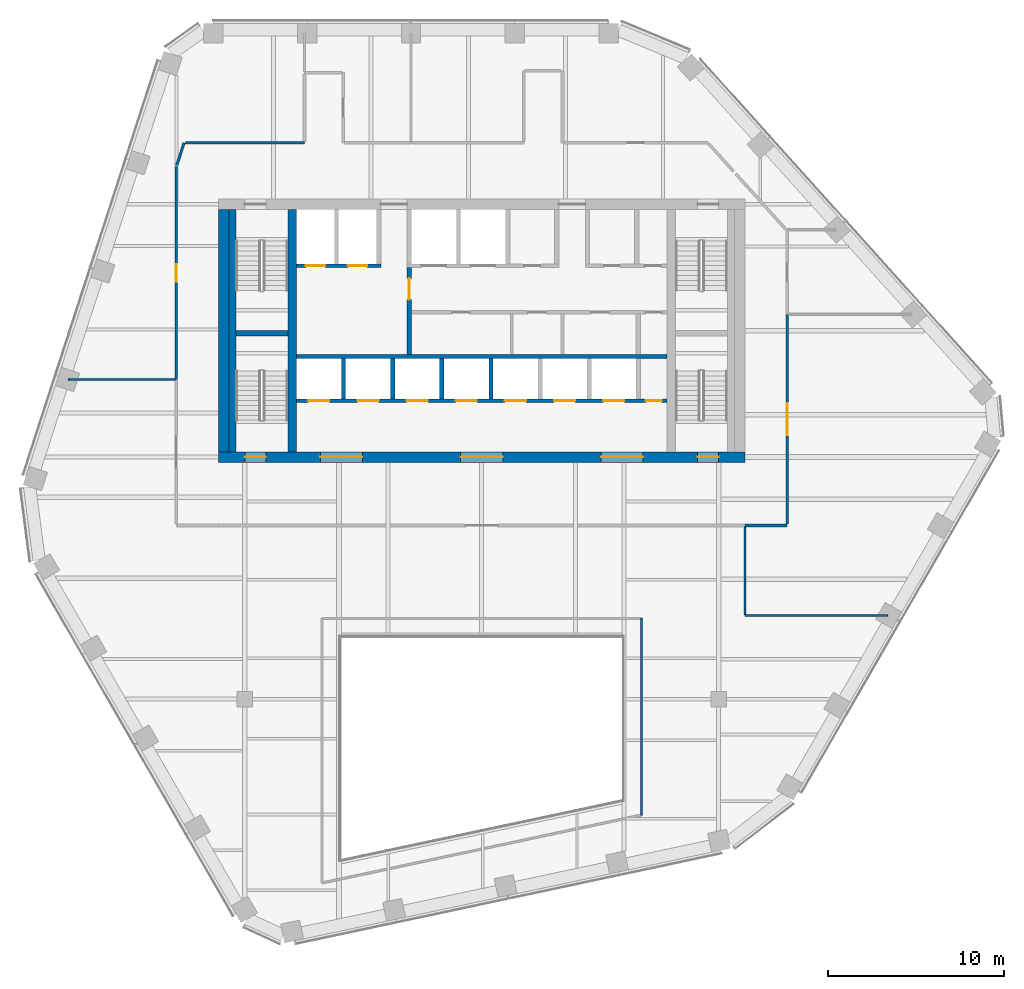
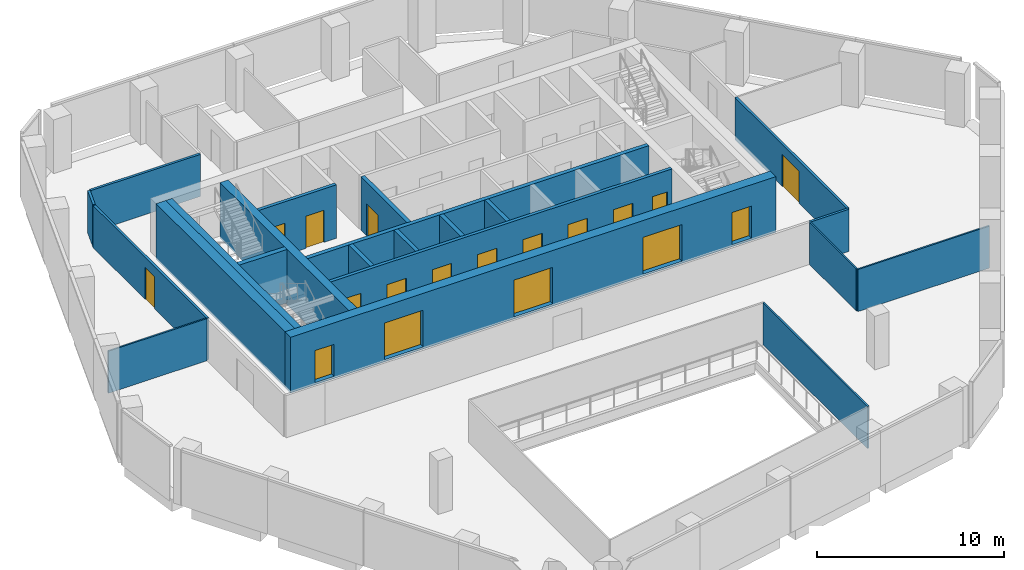
# One storey, part 9 of 15: 22 walls, 18 doors, 18 openings.
"""IFC4 building model written with IfcOpenShell, lengths in metres."""

from ifc_helpers import new_model, si_unit, direction, frame, frame_2d, origin, place, context, subcontext, project, spatial, rectangle, extrude, material, layer, layer_set, type_object, element, fill, save


model = new_model("IFC4")

# Units and contexts
model_context = context("Model", 3, precision=1e-05, world=origin(), true_north=direction((0.0, 1.0)))
body_context = subcontext(model_context, "Body", "Model", "MODEL_VIEW")
ifc_project = project(units=[si_unit("LENGTHUNIT", "METRE"), si_unit("AREAUNIT", "SQUARE_METRE"), si_unit("VOLUMEUNIT", "CUBIC_METRE"), si_unit("PLANEANGLEUNIT", "RADIAN"), si_unit("MASSUNIT", "GRAM", prefix="KILO")], contexts=[model_context])

# Site, building, storey
site_placement = place(None, origin())
site = spatial("IfcSite", under=ifc_project, at=site_placement, CompositionType="ELEMENT")
building_placement = place(site_placement, origin())
building = spatial("IfcBuilding", under=site, at=building_placement, Name="Isthmus Gate Tower", CompositionType="ELEMENT")
storey_placement = place(building_placement, frame((0.0, 0.0, 241.85009765625)))
storey = spatial("IfcBuildingStorey", under=building, at=storey_placement, Name="L61", CompositionType="ELEMENT", Elevation=241.85009765625)

# Walls
ifc_material_1 = material(Name="Fire-rated laminated glass in steel frame", Category="steel")
ifc_layer_1 = layer(ifc_material_1, 0.10009765625)
ifc_layer_set_1 = layer_set([ifc_layer_1], Name="ATRIUM SCREEN GLAZED WALL 100 120 MIN")
wall_type_1 = type_object("IfcWallType", Name="ATRIUM SCREEN GLAZED WALL 100 120 MIN", PredefinedType="PARTITIONING", material=ifc_layer_set_1)
wall_1_placement = place(storey_placement, frame((9.10009765625, -8.89990234375, 0.0), z_axis=(0.0, 0.0, 1.0), x_axis=(0.0, -1.0, 0.0)))
element("IfcWall", 1, at=wall_1_placement, inside=storey, type_object=wall_type_1, Name="L61 atrium screen", PredefinedType="PARTITIONING", context=body_context, shape_type="SweptSolid", body=[
    extrude(rectangle(XDim=11.200927734375, YDim=0.10009765625, at=frame_2d((5.6005859375, 0.0))), origin(), (0.0, 0.0, 1.0), 2.75048828125),
])
ifc_material_2 = material(Name="Gypsum board on steel studs, fire-rated", Category="steel")
ifc_layer_2 = layer(ifc_material_2, 0.14990234375)
ifc_layer_set_2 = layer_set([ifc_layer_2], Name="CORRIDOR WALL 150 60 MIN")
wall_type_2 = type_object("IfcWallType", Name="CORRIDOR WALL 150 60 MIN", PredefinedType="PARTITIONING", material=ifc_layer_set_2)
wall_2_placement = place(storey_placement, frame((17.39990234375, -3.60009765625, 0.0), z_axis=(0.0, 0.0, 1.0), x_axis=(-1.0, 0.0, 0.0)))
element("IfcWall", 2, at=wall_2_placement, inside=storey, type_object=wall_type_2, Name="L61 Corridor Wall 150 60 Min", PredefinedType="PARTITIONING", context=body_context, shape_type="SweptSolid", body=[
    extrude(rectangle(XDim=2.39990234375, YDim=0.14990234375, at=frame_2d((1.199951171875, 0.0))), origin(), (0.0, 0.0, 1.0), 2.75048828125),
])

# Wall, opening, door
wall_3_placement = place(storey_placement, frame((17.39990234375, 8.427978515625, 0.0), z_axis=(0.0, 0.0, 1.0), x_axis=(0.0, -1.0, 0.0)))
wall_3 = element("IfcWall", 3, at=wall_3_placement, inside=storey, type_object=wall_type_2, Name="L61 Corridor Wall 150 60 Min", PredefinedType="PARTITIONING", context=body_context, shape_type="SweptSolid", body=[
    extrude(rectangle(XDim=11.952880859375, YDim=0.14990234375, at=frame_2d((5.9765625, 0.0))), origin(), (0.0, 0.0, 1.0), 2.75048828125),
])
opening_1_placement = place(wall_3_placement, frame((5.076416015625, 0.0, 0.0)))
opening_1 = element("IfcOpeningElement", 4, at=opening_1_placement, cuts=wall_3, Name="Opening DT-T5C-05", PredefinedType="OPENING", context=body_context, shape_type="SweptSolid", body=[
    extrude(rectangle(XDim=1.800048828125, YDim=2.10009765625, at=frame_2d((0.89990234375, 1.050048828125))), frame((0.0, 0.0849609375, 0.0), z_axis=(0.0, -1.0, 0.0), x_axis=(1.0, 0.0, 0.0)), (0.0, 0.0, 1.0), 0.169921875),
])
ifc_material_3 = material(Name="Solid core timber door leaf, fire-rated", Category="wood")
door_type_1 = type_object("IfcDoorType", Name="FIRE DOOR ROOM 1800 X 2100 60 MIN", OperationType="DOUBLE_DOOR_DOUBLE_SWING", PredefinedType="DOOR", material=ifc_material_3)
door_1_placement = place(opening_1_placement, origin())
door_1 = element("IfcDoor", 5, at=door_1_placement, inside=storey, type_object=door_type_1, Name="L61 room door", OperationType="DOUBLE_DOOR_DOUBLE_SWING", OverallHeight=2.10009765625, OverallWidth=1.800048828125, PredefinedType="DOOR", context=body_context, shape_type="SweptSolid", body=[
    extrude(rectangle(XDim=1.800048828125, YDim=2.10009765625, at=frame_2d((0.89990234375, 1.050048828125))), frame((0.0, 0.02490234375, 0.0), z_axis=(0.0, -1.0, 0.0), x_axis=(1.0, 0.0, 0.0)), (0.0, 0.0, 1.0), 0.050048828125),
])
fill(opening_1, door_1)

wall_4_placement = place(storey_placement, frame((-17.39990234375, 4.722900390625, 0.0), z_axis=(0.0, 0.0, 1.0), x_axis=(0.0, 1.0, 0.0)))
wall_4 = element("IfcWall", 6, at=wall_4_placement, inside=storey, type_object=wall_type_2, Name="L61 Corridor Wall 150 60 Min", PredefinedType="PARTITIONING", context=body_context, shape_type="SweptSolid", body=[
    extrude(rectangle(XDim=12.1220703125, YDim=0.14990234375, at=frame_2d((6.06103515625, 0.0))), origin(), (0.0, 0.0, 1.0), 2.75048828125),
])
opening_2_placement = place(wall_4_placement, frame((5.56103515625, 0.0, 0.0)))
opening_2 = element("IfcOpeningElement", 7, at=opening_2_placement, cuts=wall_4, Name="Opening DT-T5C-02", PredefinedType="OPENING", context=body_context, shape_type="SweptSolid", body=[
    extrude(rectangle(XDim=1.0, YDim=2.10009765625, at=frame_2d((0.5, 1.050048828125))), frame((0.0, 0.0849609375, 0.0), z_axis=(0.0, -1.0, 0.0), x_axis=(1.0, 0.0, 0.0)), (0.0, 0.0, 1.0), 0.169921875),
])
ifc_material_4 = material(Name="Solid core timber door leaf, fire-rated", Category="wood")
door_type_2 = type_object("IfcDoorType", Name="FIRE DOOR ROOM 1000 X 2100 60 MIN", OperationType="SINGLE_SWING_LEFT", PredefinedType="DOOR", material=ifc_material_4)
door_2_placement = place(opening_2_placement, origin())
door_2 = element("IfcDoor", 8, at=door_2_placement, inside=storey, type_object=door_type_2, Name="L61 room door", OperationType="SINGLE_SWING_RIGHT", OverallHeight=2.10009765625, OverallWidth=1.0, PredefinedType="DOOR", context=body_context, shape_type="SweptSolid", body=[
    extrude(rectangle(XDim=1.0, YDim=2.10009765625, at=frame_2d((0.5, 1.050048828125))), frame((0.0, 0.02490234375, 0.0), z_axis=(0.0, -1.0, 0.0), x_axis=(1.0, 0.0, 0.0)), (0.0, 0.0, 1.0), 0.050048828125),
])
fill(opening_2, door_2)

# Walls
wall_5_placement = place(storey_placement, frame((-17.376708984375, 16.916259765625, 0.0), z_axis=(0.0, 0.0, 1.0), x_axis=(0.308783376305, 0.951132391688, 0.0)))
element("IfcWall", 9, at=wall_5_placement, inside=storey, type_object=wall_type_2, Name="L61 Corridor Wall 150 60 Min", PredefinedType="PARTITIONING", context=body_context, shape_type="SweptSolid", body=[
    extrude(rectangle(XDim=1.349609375, YDim=0.14990234375, at=frame_2d((0.6748046875, 0.0))), origin(), (0.0, 0.0, 1.0), 2.75048828125),
])
wall_6_placement = place(storey_placement, frame((-16.885009765625, 18.199951171875, 0.0), z_axis=(0.0, 0.0, 1.0), x_axis=(1.0, 0.0, 0.0)))
element("IfcWall", 10, at=wall_6_placement, inside=storey, type_object=wall_type_2, Name="L61 Corridor Wall 150 60 Min", PredefinedType="PARTITIONING", context=body_context, shape_type="SweptSolid", body=[
    extrude(rectangle(XDim=6.784912109375, YDim=0.14990234375, at=frame_2d((3.392578125, 0.0))), origin(), (0.0, 0.0, 1.0), 2.75048828125),
])

# Wall, opening, door
ifc_material_5 = material(Name="Fire-rated blockwork masonry, 15 MPa", Category="masonry")
ifc_layer_3 = layer(ifc_material_5, 0.25)
ifc_layer_set_3 = layer_set([ifc_layer_3], Name="FIRE-FIGHTING LOBBY WALL 250 90 MIN")
wall_type_3 = type_object("IfcWallType", Name="FIRE-FIGHTING LOBBY WALL 250 90 MIN", PredefinedType="PARTITIONING", material=ifc_layer_set_3)
wall_7_placement = place(storey_placement, frame((-4.125, 6.14990234375, 0.0), z_axis=(0.0, 0.0, 1.0), x_axis=(0.0, 1.0, 0.0)))
wall_7 = element("IfcWall", 11, at=wall_7_placement, inside=storey, type_object=wall_type_3, Name="L61 FIRE-FIGHTING LOBBY WALL 250 90 MIN", PredefinedType="PARTITIONING", context=body_context, shape_type="SweptSolid", body=[
    extrude(rectangle(XDim=4.9501953125, YDim=0.25, at=frame_2d((2.47509765625, 0.0))), origin(), (0.0, 0.0, 1.0), 3.5),
])
opening_3_placement = place(wall_7_placement, frame((3.125, 0.0, 0.0)))
opening_3 = element("IfcOpeningElement", 12, at=opening_3_placement, cuts=wall_7, Name="Opening DC-A19-01", PredefinedType="OPENING", context=body_context, shape_type="SweptSolid", body=[
    extrude(rectangle(XDim=1.199951171875, YDim=2.10009765625, at=frame_2d((0.60009765625, 1.050048828125))), frame((0.0, 0.135009765625, 0.0), z_axis=(0.0, -1.0, 0.0), x_axis=(1.0, 0.0, 0.0)), (0.0, 0.0, 1.0), 0.27001953125),
])
ifc_material_6 = material(Name="Steel door leaf, fire-rated", Category="steel")
door_type_3 = type_object("IfcDoorType", Name="LOBBY FIRE DOOR 1200 X 2100 90 MIN", OperationType="DOUBLE_DOOR_SINGLE_SWING", PredefinedType="DOOR", material=ifc_material_6)
door_3_placement = place(opening_3_placement, origin())
door_3 = element("IfcDoor", 13, at=door_3_placement, inside=storey, type_object=door_type_3, Name="Fire-fighting Lobby Door", OperationType="SINGLE_SWING_LEFT", OverallHeight=2.10009765625, OverallWidth=1.199951171875, PredefinedType="DOOR", context=body_context, shape_type="SweptSolid", body=[
    extrude(rectangle(XDim=1.199951171875, YDim=2.10009765625, at=frame_2d((0.60009765625, 1.050048828125))), frame((0.0, 0.02490234375, 0.0), z_axis=(0.0, -1.0, 0.0), x_axis=(1.0, 0.0, 0.0)), (0.0, 0.0, 1.0), 0.050048828125),
])
fill(opening_3, door_3)

# Wall
ifc_material_7 = material(Name="Concrete f'c 50 MPa", Category="concrete")
ifc_layer_4 = layer(ifc_material_7, 0.5)
ifc_layer_set_4 = layer_set([ifc_layer_4], Name="RC CORE SPINE WALL 500 F'C 50")
wall_type_4 = type_object("IfcWallType", Name="RC CORE SPINE WALL 500 F'C 50", PredefinedType="SOLIDWALL", material=ifc_layer_set_4)
wall_8_placement = place(storey_placement, frame((-10.800048828125, 0.60009765625, -0.150146484375), z_axis=(0.0, 0.0, 1.0), x_axis=(0.0, 1.0, 0.0)))
element("IfcWall", 14, at=wall_8_placement, inside=storey, type_object=wall_type_4, Name="str-corewall-L61-SPW", PredefinedType="SOLIDWALL", context=body_context, shape_type="SweptSolid", body=[
    extrude(rectangle(XDim=13.7998046875, YDim=0.5, at=frame_2d((6.89990234375, 0.0))), origin(), (0.0, 0.0, 1.0), 3.650146484375),
])

# Wall, openings, doors
ifc_material_8 = material(Name="Concrete f'c 50 MPa", Category="concrete")
ifc_layer_5 = layer(ifc_material_8, 0.60009765625)
ifc_layer_set_5 = layer_set([ifc_layer_5], Name="RC CORE WALL 600 F'C 50")
wall_type_5 = type_object("IfcWallType", Name="RC CORE WALL 600 F'C 50", PredefinedType="SOLIDWALL", material=ifc_layer_set_5)
wall_9_placement = place(storey_placement, frame((-15.0, 0.300048828125, -0.150146484375), z_axis=(0.0, 0.0, 1.0), x_axis=(1.0, 0.0, 0.0)))
wall_9 = element("IfcWall", 15, at=wall_9_placement, inside=storey, type_object=wall_type_5, Name="str-corewall-L61-S", PredefinedType="SOLIDWALL", context=body_context, shape_type="SweptSolid", body=[
    extrude(rectangle(XDim=30.0, YDim=0.60009765625, at=frame_2d((15.0, 0.0))), origin(), (0.0, 0.0, 1.0), 3.650146484375),
])
opening_4_placement = place(wall_9_placement, frame((5.800048828125, 0.0, 0.14990234375)))
opening_4 = element("IfcOpeningElement", 16, at=opening_4_placement, cuts=wall_9, Name="Opening DC-A19-10", PredefinedType="OPENING", context=body_context, shape_type="SweptSolid", body=[
    extrude(rectangle(XDim=2.39990234375, YDim=2.39990234375, at=frame_2d((1.199951171875, 1.199951171875))), frame((0.0, 0.31005859375, 0.0), z_axis=(0.0, -1.0, 0.0), x_axis=(1.0, 0.0, 0.0)), (0.0, 0.0, 1.0), 0.6201171875),
])
opening_5_placement = place(wall_9_placement, frame((13.800048828125, 0.0, 0.14990234375)))
opening_5 = element("IfcOpeningElement", 17, at=opening_5_placement, cuts=wall_9, Name="Opening DC-A19-11", PredefinedType="OPENING", context=body_context, shape_type="SweptSolid", body=[
    extrude(rectangle(XDim=2.39990234375, YDim=2.39990234375, at=frame_2d((1.199951171875, 1.199951171875))), frame((0.0, 0.31005859375, 0.0), z_axis=(0.0, -1.0, 0.0), x_axis=(1.0, 0.0, 0.0)), (0.0, 0.0, 1.0), 0.6201171875),
])
opening_6_placement = place(wall_9_placement, frame((21.800048828125, 0.0, 0.14990234375)))
opening_6 = element("IfcOpeningElement", 18, at=opening_6_placement, cuts=wall_9, Name="Opening DC-A19-12", PredefinedType="OPENING", context=body_context, shape_type="SweptSolid", body=[
    extrude(rectangle(XDim=2.39990234375, YDim=2.39990234375, at=frame_2d((1.199951171875, 1.199951171875))), frame((0.0, 0.31005859375, 0.0), z_axis=(0.0, -1.0, 0.0), x_axis=(1.0, 0.0, 0.0)), (0.0, 0.0, 1.0), 0.6201171875),
])
opening_7_placement = place(wall_9_placement, frame((1.5, 0.0, 0.14990234375)))
opening_7 = element("IfcOpeningElement", 19, at=opening_7_placement, cuts=wall_9, Name="Opening DC-A19-17", PredefinedType="OPENING", context=body_context, shape_type="SweptSolid", body=[
    extrude(rectangle(XDim=1.199951171875, YDim=2.10009765625, at=frame_2d((0.60009765625, 1.050048828125))), frame((0.0, 0.31005859375, 0.0), z_axis=(0.0, -1.0, 0.0), x_axis=(1.0, 0.0, 0.0)), (0.0, 0.0, 1.0), 0.6201171875),
])
opening_8_placement = place(wall_9_placement, frame((27.300048828125, 0.0, 0.14990234375)))
opening_8 = element("IfcOpeningElement", 20, at=opening_8_placement, cuts=wall_9, Name="Opening DC-A19-18", PredefinedType="OPENING", context=body_context, shape_type="SweptSolid", body=[
    extrude(rectangle(XDim=1.199951171875, YDim=2.10009765625, at=frame_2d((0.60009765625, 1.050048828125))), frame((0.0, 0.31005859375, 0.0), z_axis=(0.0, -1.0, 0.0), x_axis=(1.0, 0.0, 0.0)), (0.0, 0.0, 1.0), 0.6201171875),
])
ifc_material_9 = material(Name="Laminated safety glass in steel frame, fire-rated", Category="steel")
door_type_4 = type_object("IfcDoorType", Name="LOBBY ENTRANCE FIRE DOOR 2400 X 2400 60 MIN", OperationType="DOUBLE_DOOR_DOUBLE_SWING", PredefinedType="DOOR", material=ifc_material_9)
door_4_placement = place(opening_4_placement, origin())
door_4 = element("IfcDoor", 21, at=door_4_placement, inside=storey, type_object=door_type_4, Name="Lobby Entrance PS-W", OperationType="DOUBLE_DOOR_DOUBLE_SWING", OverallHeight=2.39990234375, OverallWidth=2.39990234375, PredefinedType="DOOR", context=body_context, shape_type="SweptSolid", body=[
    extrude(rectangle(XDim=2.39990234375, YDim=2.39990234375, at=frame_2d((1.199951171875, 1.199951171875))), frame((0.0, 0.02490234375, 0.0), z_axis=(0.0, -1.0, 0.0), x_axis=(1.0, 0.0, 0.0)), (0.0, 0.0, 1.0), 0.050048828125),
])
fill(opening_4, door_4)
door_5_placement = place(opening_5_placement, origin())
door_5 = element("IfcDoor", 22, at=door_5_placement, inside=storey, type_object=door_type_4, Name="Lobby Entrance PS-C", OperationType="DOUBLE_DOOR_DOUBLE_SWING", OverallHeight=2.39990234375, OverallWidth=2.39990234375, PredefinedType="DOOR", context=body_context, shape_type="SweptSolid", body=[
    extrude(rectangle(XDim=2.39990234375, YDim=2.39990234375, at=frame_2d((1.199951171875, 1.199951171875))), frame((0.0, 0.02490234375, 0.0), z_axis=(0.0, -1.0, 0.0), x_axis=(1.0, 0.0, 0.0)), (0.0, 0.0, 1.0), 0.050048828125),
])
fill(opening_5, door_5)
door_6_placement = place(opening_6_placement, origin())
door_6 = element("IfcDoor", 23, at=door_6_placement, inside=storey, type_object=door_type_4, Name="Lobby Entrance PS-E", OperationType="DOUBLE_DOOR_DOUBLE_SWING", OverallHeight=2.39990234375, OverallWidth=2.39990234375, PredefinedType="DOOR", context=body_context, shape_type="SweptSolid", body=[
    extrude(rectangle(XDim=2.39990234375, YDim=2.39990234375, at=frame_2d((1.199951171875, 1.199951171875))), frame((0.0, 0.02490234375, 0.0), z_axis=(0.0, -1.0, 0.0), x_axis=(1.0, 0.0, 0.0)), (0.0, 0.0, 1.0), 0.050048828125),
])
fill(opening_6, door_6)
ifc_material_10 = material(Name="Steel door leaf, fire-rated", Category="steel")
door_type_5 = type_object("IfcDoorType", Name="STAIR FIRE DOOR 1200 X 2100 90 MIN", OperationType="SINGLE_SWING_LEFT", PredefinedType="DOOR", material=ifc_material_10)
door_7_placement = place(opening_7_placement, origin())
door_7 = element("IfcDoor", 24, at=door_7_placement, inside=storey, type_object=door_type_5, Name="Exit Stair 7 Door", OperationType="SINGLE_SWING_LEFT", OverallHeight=2.10009765625, OverallWidth=1.199951171875, PredefinedType="DOOR", context=body_context, shape_type="SweptSolid", body=[
    extrude(rectangle(XDim=1.199951171875, YDim=2.10009765625, at=frame_2d((0.60009765625, 1.050048828125))), frame((0.0, 0.02490234375, 0.0), z_axis=(0.0, -1.0, 0.0), x_axis=(1.0, 0.0, 0.0)), (0.0, 0.0, 1.0), 0.050048828125),
])
fill(opening_7, door_7)
door_8_placement = place(opening_8_placement, origin())
door_8 = element("IfcDoor", 25, at=door_8_placement, inside=storey, type_object=door_type_5, Name="Exit Stair 8 Door", OperationType="SINGLE_SWING_RIGHT", OverallHeight=2.10009765625, OverallWidth=1.199951171875, PredefinedType="DOOR", context=body_context, shape_type="SweptSolid", body=[
    extrude(rectangle(XDim=1.199951171875, YDim=2.10009765625, at=frame_2d((0.60009765625, 1.050048828125))), frame((0.0, 0.02490234375, 0.0), z_axis=(0.0, -1.0, 0.0), x_axis=(1.0, 0.0, 0.0)), (0.0, 0.0, 1.0), 0.050048828125),
])
fill(opening_8, door_8)

# Walls
wall_10_placement = place(storey_placement, frame((-14.699951171875, 0.60009765625, -0.150146484375), z_axis=(0.0, 0.0, 1.0), x_axis=(0.0, 1.0, 0.0)))
element("IfcWall", 26, at=wall_10_placement, inside=storey, type_object=wall_type_5, Name="str-corewall-L61-W", PredefinedType="SOLIDWALL", context=body_context, shape_type="SweptSolid", body=[
    extrude(rectangle(XDim=13.7998046875, YDim=0.60009765625, at=frame_2d((6.89990234375, 0.0))), origin(), (0.0, 0.0, 1.0), 3.650146484375),
])
ifc_material_11 = material(Name="Gypsum board on steel studs, fire-rated", Category="steel")
ifc_layer_6 = layer(ifc_material_11, 0.10009765625)
ifc_layer_set_6 = layer_set([ifc_layer_6], Name="ROOM PARTITION 100 30 MIN")
wall_type_6 = type_object("IfcWallType", Name="ROOM PARTITION 100 30 MIN", PredefinedType="PARTITIONING", material=ifc_layer_set_6)
wall_11_placement = place(storey_placement, frame((-23.547119140625, 4.722900390625, 0.0), z_axis=(0.0, 0.0, 1.0), x_axis=(1.0, 0.0, 0.0)))
element("IfcWall", 27, at=wall_11_placement, inside=storey, type_object=wall_type_6, Name="L61 Room Partition 100 30 Min", PredefinedType="PARTITIONING", context=body_context, shape_type="SweptSolid", body=[
    extrude(rectangle(XDim=6.072021484375, YDim=0.10009765625, at=frame_2d((3.0361328125, 0.0))), origin(), (0.0, 0.0, 1.0), 2.75048828125),
])
wall_12_placement = place(storey_placement, frame((15.0, -8.735107421875, 0.0), z_axis=(0.0, 0.0, 1.0), x_axis=(1.0, 0.0, 0.0)))
element("IfcWall", 28, at=wall_12_placement, inside=storey, type_object=wall_type_6, Name="L61 Room Partition 100 30 Min", PredefinedType="PARTITIONING", context=body_context, shape_type="SweptSolid", body=[
    extrude(rectangle(XDim=8.132080078125, YDim=0.10009765625, at=frame_2d((4.06591796875, 0.0))), origin(), (0.0, 0.0, 1.0), 2.75048828125),
])
wall_13_placement = place(storey_placement, frame((15.0, -8.68505859375, 0.0), z_axis=(0.0, 0.0, 1.0), x_axis=(0.0, 1.0, 0.0)))
element("IfcWall", 29, at=wall_13_placement, inside=storey, type_object=wall_type_6, Name="L61 Room Partition 100 30 Min", PredefinedType="PARTITIONING", context=body_context, shape_type="SweptSolid", body=[
    extrude(rectangle(XDim=5.010009765625, YDim=0.10009765625, at=frame_2d((2.5048828125, 0.0))), origin(), (0.0, 0.0, 1.0), 2.75048828125),
])

# Wall, openings, doors
ifc_material_12 = material(Name="Fire-rated blockwork masonry, 15 MPa", Category="masonry")
ifc_layer_7 = layer(ifc_material_12, 0.199951171875)
ifc_layer_set_7 = layer_set([ifc_layer_7], Name="SHAFT FRONT WALL 200 120 MIN")
wall_type_7 = type_object("IfcWallType", Name="SHAFT FRONT WALL 200 120 MIN", PredefinedType="PARTITIONING", material=ifc_layer_set_7)
wall_14_placement = place(storey_placement, frame((-10.550048828125, 3.5, 0.0), z_axis=(0.0, 0.0, 1.0), x_axis=(1.0, 0.0, 0.0)))
wall_14 = element("IfcWall", 30, at=wall_14_placement, inside=storey, type_object=wall_type_7, Name="L61 SHAFT FRONT WALL 200 120 MIN", PredefinedType="PARTITIONING", context=body_context, shape_type="SweptSolid", body=[
    extrude(rectangle(XDim=21.10009765625, YDim=0.199951171875, at=frame_2d((10.550048828125, 0.0))), origin(), (0.0, 0.0, 1.0), 3.5),
])
opening_9_placement = place(wall_14_placement, frame((0.675048828125, 0.0, 0.0)))
opening_9 = element("IfcOpeningElement", 31, at=opening_9_placement, cuts=wall_14, Name="Opening LD-LC1", PredefinedType="OPENING", context=body_context, shape_type="SweptSolid", body=[
    extrude(rectangle(XDim=1.199951171875, YDim=2.10009765625, at=frame_2d((0.60009765625, 1.050048828125))), frame((0.0, 0.10986328125, 0.0), z_axis=(0.0, -1.0, 0.0), x_axis=(1.0, 0.0, 0.0)), (0.0, 0.0, 1.0), 0.219970703125),
])
opening_10_placement = place(wall_14_placement, frame((3.47509765625, 0.0, 0.0)))
opening_10 = element("IfcOpeningElement", 32, at=opening_10_placement, cuts=wall_14, Name="Opening LD-LC2", PredefinedType="OPENING", context=body_context, shape_type="SweptSolid", body=[
    extrude(rectangle(XDim=1.199951171875, YDim=2.10009765625, at=frame_2d((0.60009765625, 1.050048828125))), frame((0.0, 0.10986328125, 0.0), z_axis=(0.0, -1.0, 0.0), x_axis=(1.0, 0.0, 0.0)), (0.0, 0.0, 1.0), 0.219970703125),
])
opening_11_placement = place(wall_14_placement, frame((6.27490234375, 0.0, 0.0)))
opening_11 = element("IfcOpeningElement", 33, at=opening_11_placement, cuts=wall_14, Name="Opening LD-LC3", PredefinedType="OPENING", context=body_context, shape_type="SweptSolid", body=[
    extrude(rectangle(XDim=1.199951171875, YDim=2.10009765625, at=frame_2d((0.60009765625, 1.050048828125))), frame((0.0, 0.10986328125, 0.0), z_axis=(0.0, -1.0, 0.0), x_axis=(1.0, 0.0, 0.0)), (0.0, 0.0, 1.0), 0.219970703125),
])
opening_12_placement = place(wall_14_placement, frame((9.074951171875, 0.0, 0.0)))
opening_12 = element("IfcOpeningElement", 34, at=opening_12_placement, cuts=wall_14, Name="Opening LD-LC4", PredefinedType="OPENING", context=body_context, shape_type="SweptSolid", body=[
    extrude(rectangle(XDim=1.199951171875, YDim=2.10009765625, at=frame_2d((0.60009765625, 1.050048828125))), frame((0.0, 0.10986328125, 0.0), z_axis=(0.0, -1.0, 0.0), x_axis=(1.0, 0.0, 0.0)), (0.0, 0.0, 1.0), 0.219970703125),
])
opening_13_placement = place(wall_14_placement, frame((11.875, 0.0, 0.0)))
opening_13 = element("IfcOpeningElement", 35, at=opening_13_placement, cuts=wall_14, Name="Opening LD-LC5", PredefinedType="OPENING", context=body_context, shape_type="SweptSolid", body=[
    extrude(rectangle(XDim=1.199951171875, YDim=2.10009765625, at=frame_2d((0.60009765625, 1.050048828125))), frame((0.0, 0.10986328125, 0.0), z_axis=(0.0, -1.0, 0.0), x_axis=(1.0, 0.0, 0.0)), (0.0, 0.0, 1.0), 0.219970703125),
])
opening_14_placement = place(wall_14_placement, frame((14.675048828125, 0.0, 0.0)))
opening_14 = element("IfcOpeningElement", 36, at=opening_14_placement, cuts=wall_14, Name="Opening LD-LC6", PredefinedType="OPENING", context=body_context, shape_type="SweptSolid", body=[
    extrude(rectangle(XDim=1.199951171875, YDim=2.10009765625, at=frame_2d((0.60009765625, 1.050048828125))), frame((0.0, 0.10986328125, 0.0), z_axis=(0.0, -1.0, 0.0), x_axis=(1.0, 0.0, 0.0)), (0.0, 0.0, 1.0), 0.219970703125),
])
opening_15_placement = place(wall_14_placement, frame((17.47509765625, 0.0, 0.0)))
opening_15 = element("IfcOpeningElement", 37, at=opening_15_placement, cuts=wall_14, Name="Opening LD-LC7", PredefinedType="OPENING", context=body_context, shape_type="SweptSolid", body=[
    extrude(rectangle(XDim=1.199951171875, YDim=2.10009765625, at=frame_2d((0.60009765625, 1.050048828125))), frame((0.0, 0.10986328125, 0.0), z_axis=(0.0, -1.0, 0.0), x_axis=(1.0, 0.0, 0.0)), (0.0, 0.0, 1.0), 0.219970703125),
])
opening_16_placement = place(wall_14_placement, frame((19.89990234375, 0.0, 0.0)))
opening_16 = element("IfcOpeningElement", 38, at=opening_16_placement, cuts=wall_14, Name="Opening DC-A19-02", PredefinedType="OPENING", context=body_context, shape_type="SweptSolid", body=[
    extrude(rectangle(XDim=0.89990234375, YDim=2.10009765625, at=frame_2d((0.449951171875, 1.050048828125))), frame((0.0, 0.10986328125, 0.0), z_axis=(0.0, -1.0, 0.0), x_axis=(1.0, 0.0, 0.0)), (0.0, 0.0, 1.0), 0.219970703125),
])
ifc_material_13 = material(Name="Stainless steel sliding leaf", Category="steel")
door_type_6 = type_object("IfcDoorType", Name="LIFT LANDING FIRE DOOR 1200 X 2100 90 MIN", OperationType="DOUBLE_DOOR_SLIDING", PredefinedType="DOOR", material=ifc_material_13)
door_9_placement = place(opening_9_placement, origin())
door_9 = element("IfcDoor", 39, at=door_9_placement, inside=storey, type_object=door_type_6, Name="Lift Landing Door LC1", OperationType="DOUBLE_DOOR_SLIDING", OverallHeight=2.10009765625, OverallWidth=1.199951171875, PredefinedType="DOOR", context=body_context, shape_type="SweptSolid", body=[
    extrude(rectangle(XDim=1.199951171875, YDim=2.10009765625, at=frame_2d((0.60009765625, 1.050048828125))), frame((0.0, 0.02490234375, 0.0), z_axis=(0.0, -1.0, 0.0), x_axis=(1.0, 0.0, 0.0)), (0.0, 0.0, 1.0), 0.050048828125),
])
fill(opening_9, door_9)
door_10_placement = place(opening_10_placement, origin())
door_10 = element("IfcDoor", 40, at=door_10_placement, inside=storey, type_object=door_type_6, Name="Lift Landing Door LC2", OperationType="DOUBLE_DOOR_SLIDING", OverallHeight=2.10009765625, OverallWidth=1.199951171875, PredefinedType="DOOR", context=body_context, shape_type="SweptSolid", body=[
    extrude(rectangle(XDim=1.199951171875, YDim=2.10009765625, at=frame_2d((0.60009765625, 1.050048828125))), frame((0.0, 0.02490234375, 0.0), z_axis=(0.0, -1.0, 0.0), x_axis=(1.0, 0.0, 0.0)), (0.0, 0.0, 1.0), 0.050048828125),
])
fill(opening_10, door_10)
door_11_placement = place(opening_11_placement, origin())
door_11 = element("IfcDoor", 41, at=door_11_placement, inside=storey, type_object=door_type_6, Name="Lift Landing Door LC3", OperationType="DOUBLE_DOOR_SLIDING", OverallHeight=2.10009765625, OverallWidth=1.199951171875, PredefinedType="DOOR", context=body_context, shape_type="SweptSolid", body=[
    extrude(rectangle(XDim=1.199951171875, YDim=2.10009765625, at=frame_2d((0.60009765625, 1.050048828125))), frame((0.0, 0.02490234375, 0.0), z_axis=(0.0, -1.0, 0.0), x_axis=(1.0, 0.0, 0.0)), (0.0, 0.0, 1.0), 0.050048828125),
])
fill(opening_11, door_11)
door_12_placement = place(opening_12_placement, origin())
door_12 = element("IfcDoor", 42, at=door_12_placement, inside=storey, type_object=door_type_6, Name="Lift Landing Door LC4", OperationType="DOUBLE_DOOR_SLIDING", OverallHeight=2.10009765625, OverallWidth=1.199951171875, PredefinedType="DOOR", context=body_context, shape_type="SweptSolid", body=[
    extrude(rectangle(XDim=1.199951171875, YDim=2.10009765625, at=frame_2d((0.60009765625, 1.050048828125))), frame((0.0, 0.02490234375, 0.0), z_axis=(0.0, -1.0, 0.0), x_axis=(1.0, 0.0, 0.0)), (0.0, 0.0, 1.0), 0.050048828125),
])
fill(opening_12, door_12)
door_13_placement = place(opening_13_placement, origin())
door_13 = element("IfcDoor", 43, at=door_13_placement, inside=storey, type_object=door_type_6, Name="Lift Landing Door LC5", OperationType="DOUBLE_DOOR_SLIDING", OverallHeight=2.10009765625, OverallWidth=1.199951171875, PredefinedType="DOOR", context=body_context, shape_type="SweptSolid", body=[
    extrude(rectangle(XDim=1.199951171875, YDim=2.10009765625, at=frame_2d((0.60009765625, 1.050048828125))), frame((0.0, 0.02490234375, 0.0), z_axis=(0.0, -1.0, 0.0), x_axis=(1.0, 0.0, 0.0)), (0.0, 0.0, 1.0), 0.050048828125),
])
fill(opening_13, door_13)
door_14_placement = place(opening_14_placement, origin())
door_14 = element("IfcDoor", 44, at=door_14_placement, inside=storey, type_object=door_type_6, Name="Lift Landing Door LC6", OperationType="DOUBLE_DOOR_SLIDING", OverallHeight=2.10009765625, OverallWidth=1.199951171875, PredefinedType="DOOR", context=body_context, shape_type="SweptSolid", body=[
    extrude(rectangle(XDim=1.199951171875, YDim=2.10009765625, at=frame_2d((0.60009765625, 1.050048828125))), frame((0.0, 0.02490234375, 0.0), z_axis=(0.0, -1.0, 0.0), x_axis=(1.0, 0.0, 0.0)), (0.0, 0.0, 1.0), 0.050048828125),
])
fill(opening_14, door_14)
door_15_placement = place(opening_15_placement, origin())
door_15 = element("IfcDoor", 45, at=door_15_placement, inside=storey, type_object=door_type_6, Name="Lift Landing Door LC7", OperationType="DOUBLE_DOOR_SLIDING", OverallHeight=2.10009765625, OverallWidth=1.199951171875, PredefinedType="DOOR", context=body_context, shape_type="SweptSolid", body=[
    extrude(rectangle(XDim=1.199951171875, YDim=2.10009765625, at=frame_2d((0.60009765625, 1.050048828125))), frame((0.0, 0.02490234375, 0.0), z_axis=(0.0, -1.0, 0.0), x_axis=(1.0, 0.0, 0.0)), (0.0, 0.0, 1.0), 0.050048828125),
])
fill(opening_15, door_15)
ifc_material_14 = material(Name="Steel door leaf, fire-rated", Category="steel")
door_type_7 = type_object("IfcDoorType", Name="RISER FIRE DOOR 900 X 2100 90 MIN", OperationType="SINGLE_SWING_LEFT", PredefinedType="DOOR", material=ifc_material_14)
door_16_placement = place(opening_16_placement, origin())
door_16 = element("IfcDoor", 46, at=door_16_placement, inside=storey, type_object=door_type_7, Name="Riser Door", OperationType="SINGLE_SWING_RIGHT", OverallHeight=2.10009765625, OverallWidth=0.89990234375, PredefinedType="DOOR", context=body_context, shape_type="SweptSolid", body=[
    extrude(rectangle(XDim=0.89990234375, YDim=2.10009765625, at=frame_2d((0.449951171875, 1.050048828125))), frame((0.0, 0.02490234375, 0.0), z_axis=(0.0, -1.0, 0.0), x_axis=(1.0, 0.0, 0.0)), (0.0, 0.0, 1.0), 0.050048828125),
])
fill(opening_16, door_16)

wall_15_placement = place(storey_placement, frame((-10.550048828125, 11.199951171875, 0.0), z_axis=(0.0, 0.0, 1.0), x_axis=(1.0, 0.0, 0.0)))
wall_15 = element("IfcWall", 47, at=wall_15_placement, inside=storey, type_object=wall_type_7, Name="L61 SHAFT FRONT WALL 200 120 MIN", PredefinedType="PARTITIONING", context=body_context, shape_type="SweptSolid", body=[
    extrude(rectangle(XDim=4.800048828125, YDim=0.199951171875, at=frame_2d((2.39990234375, 0.0))), origin(), (0.0, 0.0, 1.0), 3.5),
])
opening_17_placement = place(wall_15_placement, frame((0.52490234375, 0.0, 0.0)))
opening_17 = element("IfcOpeningElement", 48, at=opening_17_placement, cuts=wall_15, Name="Opening LD-LF1", PredefinedType="OPENING", context=body_context, shape_type="SweptSolid", body=[
    extrude(rectangle(XDim=1.10009765625, YDim=2.10009765625, at=frame_2d((0.550048828125, 1.050048828125))), frame((0.0, 0.10986328125, 0.0), z_axis=(0.0, -1.0, 0.0), x_axis=(1.0, 0.0, 0.0)), (0.0, 0.0, 1.0), 0.219970703125),
])
opening_18_placement = place(wall_15_placement, frame((2.925048828125, 0.0, 0.0)))
opening_18 = element("IfcOpeningElement", 49, at=opening_18_placement, cuts=wall_15, Name="Opening LD-LF2", PredefinedType="OPENING", context=body_context, shape_type="SweptSolid", body=[
    extrude(rectangle(XDim=1.10009765625, YDim=2.10009765625, at=frame_2d((0.550048828125, 1.050048828125))), frame((0.0, 0.10986328125, 0.0), z_axis=(0.0, -1.0, 0.0), x_axis=(1.0, 0.0, 0.0)), (0.0, 0.0, 1.0), 0.219970703125),
])
ifc_material_15 = material(Name="Stainless steel sliding leaf", Category="steel")
door_type_8 = type_object("IfcDoorType", Name="LIFT LANDING FIRE DOOR 1100 X 2100 90 MIN", OperationType="DOUBLE_DOOR_SLIDING", PredefinedType="DOOR", material=ifc_material_15)
door_17_placement = place(opening_17_placement, origin())
door_17 = element("IfcDoor", 50, at=door_17_placement, inside=storey, type_object=door_type_8, Name="Lift Landing Door LF1", OperationType="DOUBLE_DOOR_SLIDING", OverallHeight=2.10009765625, OverallWidth=1.10009765625, PredefinedType="DOOR", context=body_context, shape_type="SweptSolid", body=[
    extrude(rectangle(XDim=1.10009765625, YDim=2.10009765625, at=frame_2d((0.550048828125, 1.050048828125))), frame((0.0, 0.02490234375, 0.0), z_axis=(0.0, -1.0, 0.0), x_axis=(1.0, 0.0, 0.0)), (0.0, 0.0, 1.0), 0.050048828125),
])
fill(opening_17, door_17)
door_18_placement = place(opening_18_placement, origin())
door_18 = element("IfcDoor", 51, at=door_18_placement, inside=storey, type_object=door_type_8, Name="Lift Landing Door LF2", OperationType="DOUBLE_DOOR_SLIDING", OverallHeight=2.10009765625, OverallWidth=1.10009765625, PredefinedType="DOOR", context=body_context, shape_type="SweptSolid", body=[
    extrude(rectangle(XDim=1.10009765625, YDim=2.10009765625, at=frame_2d((0.550048828125, 1.050048828125))), frame((0.0, 0.02490234375, 0.0), z_axis=(0.0, -1.0, 0.0), x_axis=(1.0, 0.0, 0.0)), (0.0, 0.0, 1.0), 0.050048828125),
])
fill(opening_18, door_18)

# Walls
ifc_material_16 = material(Name="Fire-rated blockwork masonry, 15 MPa", Category="masonry")
ifc_layer_8 = layer(ifc_material_16, 0.25)
ifc_layer_set_8 = layer_set([ifc_layer_8], Name="SHAFT WALL 250 120 MIN")
wall_type_8 = type_object("IfcWallType", Name="SHAFT WALL 250 120 MIN", PredefinedType="PARTITIONING", material=ifc_layer_set_8)
wall_16_placement = place(storey_placement, frame((-10.550048828125, 6.02490234375, 0.0), z_axis=(0.0, 0.0, 1.0), x_axis=(1.0, 0.0, 0.0)))
element("IfcWall", 52, at=wall_16_placement, inside=storey, type_object=wall_type_8, Name="L61 SHAFT WALL 250 120 MIN", PredefinedType="PARTITIONING", context=body_context, shape_type="SweptSolid", body=[
    extrude(rectangle(XDim=21.10009765625, YDim=0.25, at=frame_2d((10.550048828125, 0.0))), origin(), (0.0, 0.0, 1.0), 3.5),
])
for number, where, z_axis, x_axis, name in (
    (53, (-7.875, 3.60009765625, 0.0), (0.0, 0.0, 1.0), (0.0, 1.0, 0.0), "L61 SHAFT WALL 250 120 MIN"),
    (54, (-5.074951171875, 3.60009765625, 0.0), (0.0, 0.0, 1.0), (0.0, 1.0, 0.0), "L61 SHAFT WALL 250 120 MIN"),
    (55, (-2.27490234375, 3.60009765625, 0.0), (0.0, 0.0, 1.0), (0.0, 1.0, 0.0), "L61 SHAFT WALL 250 120 MIN"),
    (56, (0.52490234375, 3.60009765625, 0.0), (0.0, 0.0, 1.0), (0.0, 1.0, 0.0), "L61 SHAFT WALL 250 120 MIN"),
):
    element("IfcWall", number, at=place(storey_placement, frame(where, z_axis=z_axis, x_axis=x_axis)), inside=storey, type_object=wall_type_8, Name=name, PredefinedType="PARTITIONING", context=body_context, shape_type="SweptSolid", body=[
        extrude(rectangle(XDim=2.2998046875, YDim=0.25, at=frame_2d((1.14990234375, 0.0))), origin(), (0.0, 0.0, 1.0), 3.5),
    ])
ifc_material_17 = material(Name="Concrete f'c 40 MPa", Category="concrete")
ifc_layer_9 = layer(ifc_material_17, 0.300048828125)
ifc_layer_set_9 = layer_set([ifc_layer_9], Name="STAIR ENCLOSURE WALL 300 180 MIN")
wall_type_9 = type_object("IfcWallType", Name="STAIR ENCLOSURE WALL 300 180 MIN", PredefinedType="SOLIDWALL", material=ifc_layer_set_9)
wall_17_placement = place(storey_placement, frame((-14.0, 7.35009765625, 0.0), z_axis=(0.0, 0.0, 1.0), x_axis=(1.0, 0.0, 0.0)))
element("IfcWall", 57, at=wall_17_placement, inside=storey, type_object=wall_type_9, Name="L61 STAIR ENCLOSURE WALL 300 180 MIN", PredefinedType="SOLIDWALL", context=body_context, shape_type="SweptSolid", body=[
    extrude(rectangle(XDim=2.949951171875, YDim=0.300048828125, at=frame_2d((1.47509765625, 0.0))), origin(), (0.0, 0.0, 1.0), 3.5),
])
ifc_material_18 = material(Name="Concrete f'c 40 MPa", Category="concrete")
ifc_layer_10 = layer(ifc_material_18, 0.39990234375)
ifc_layer_set_10 = layer_set([ifc_layer_10], Name="STAIR ENCLOSURE WALL 400 180 MIN")
wall_type_10 = type_object("IfcWallType", Name="STAIR ENCLOSURE WALL 400 180 MIN", PredefinedType="SOLIDWALL", material=ifc_layer_set_10)
wall_18_placement = place(storey_placement, frame((-14.199951171875, 0.60009765625, 0.0), z_axis=(0.0, 0.0, 1.0), x_axis=(0.0, 1.0, 0.0)))
element("IfcWall", 58, at=wall_18_placement, inside=storey, type_object=wall_type_10, Name="L61 STAIR ENCLOSURE WALL 400 180 MIN", PredefinedType="SOLIDWALL", context=body_context, shape_type="SweptSolid", body=[
    extrude(rectangle(XDim=13.7998046875, YDim=0.39990234375, at=frame_2d((6.89990234375, 0.0))), origin(), (0.0, 0.0, 1.0), 3.5),
])

save(model, "model.ifc")
